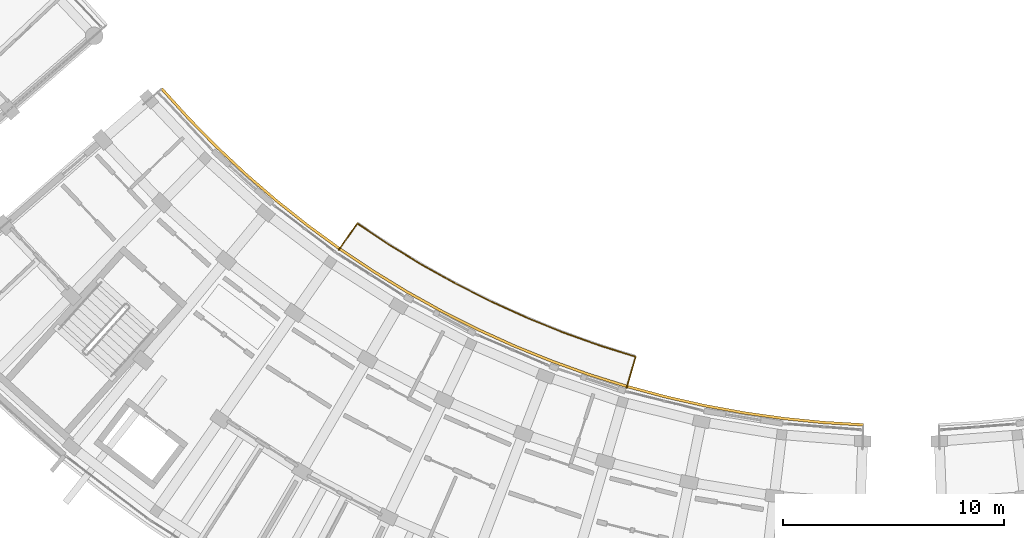
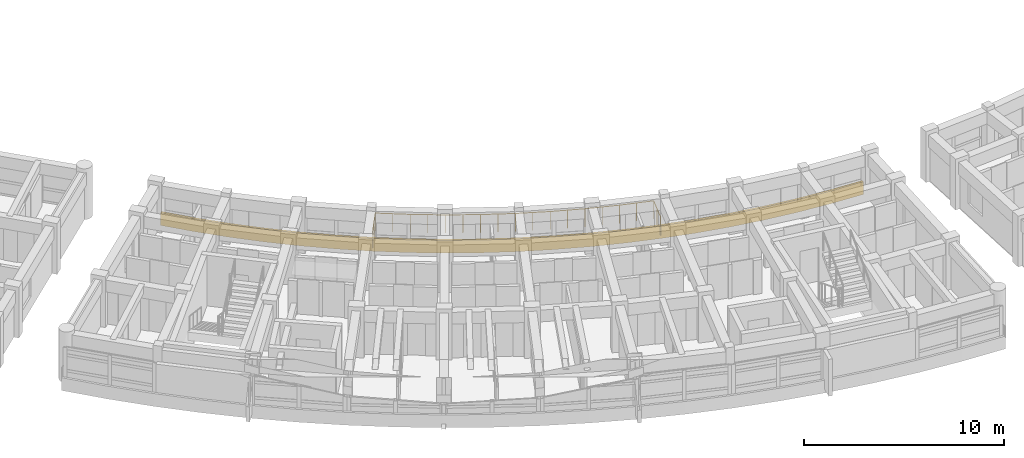
# One storey, part 50 of 56: 2 railings.
"""IFC4 building model written with IfcOpenShell, lengths in metres."""

from ifc_helpers import new_model, si_unit, direction, frame, origin, origin_2d, place, context, subcontext, project, spatial, polyline, circle, outline, extrude, material, type_object, element, save


model = new_model("IFC4")

# Units and contexts
model_context = context("Model", 3, precision=1e-05, world=origin(), true_north=direction((0.0, 1.0)))
body_context = subcontext(model_context, "Body", "Model", "MODEL_VIEW")
ifc_project = project(units=[si_unit("LENGTHUNIT", "METRE"), si_unit("AREAUNIT", "SQUARE_METRE"), si_unit("VOLUMEUNIT", "CUBIC_METRE"), si_unit("PLANEANGLEUNIT", "RADIAN"), si_unit("MASSUNIT", "GRAM", prefix="KILO")], contexts=[model_context])

# Site, building, storey
site_placement = place(None, origin())
site = spatial("IfcSite", under=ifc_project, at=site_placement, CompositionType="ELEMENT")
building_placement = place(site_placement, origin())
building = spatial("IfcBuilding", under=site, at=building_placement, Name="Zimvara Arc Housing Community", CompositionType="ELEMENT")
storey_placement = place(building_placement, frame((0.0, 0.0, 11.199951171875)))
storey = spatial("IfcBuildingStorey", under=building, at=storey_placement, Name="L03", CompositionType="ELEMENT", Elevation=11.199951171875)

# Railings
ifc_material_1 = material(Name="Anodised Aluminium AW-6063", Category="aluminium")
railing_type_1 = type_object("IfcRailingType", Name="RLG-BAL-1120", PredefinedType="BALUSTRADE", material=ifc_material_1)
railing_1_placement = place(storey_placement, frame((100.510009765625, 73.430908203125, 0.0)))
element("IfcRailing", 1, at=railing_1_placement, inside=storey, type_object=railing_type_1, Name="rlg:blkC:L03:bal_in_guard", PredefinedType="BALUSTRADE", context=body_context, shape_type="SweptSolid", body=[
    extrude(circle(Radius=0.02392578125, at=origin_2d()), frame((0.0, 0.0, 1.09619140625), z_axis=(0.572960666414, 0.819582866306, 0.0), x_axis=(-0.819582866306, 0.572960666414, 0.0)), (0.0, 0.0, 1.0), 1.469970703125),
    extrude(circle(Radius=0.02392578125, at=origin_2d()), frame((0.84228515625, 1.204833984375, 1.09619140625), z_axis=(0.831043222725, -0.556207840616, 0.0), x_axis=(0.556207840616, 0.831043222725, 0.0)), (0.0, 0.0, 1.0), 1.75537109375),
    extrude(circle(Radius=0.02392578125, at=origin_2d()), frame((2.301025390625, 0.228515625, 1.09619140625), z_axis=(0.853092665747, -0.52175943082, 0.0), x_axis=(0.52175943082, 0.853092665747, 0.0)), (0.0, 0.0, 1.0), 1.755126953125),
    extrude(circle(Radius=0.02392578125, at=origin_2d()), frame((3.79833984375, -0.687255859375, 1.09619140625), z_axis=(0.873710725311, -0.486445853592, 0.0), x_axis=(0.486445853592, 0.873710725311, 0.0)), (0.0, 0.0, 1.0), 1.755126953125),
    extrude(circle(Radius=0.02392578125, at=origin_2d()), frame((5.331787109375, -1.541015625, 1.09619140625), z_axis=(0.892779977316, -0.450492965653, 0.0), x_axis=(0.450492965653, 0.892779977316, 0.0)), (0.0, 0.0, 1.0), 1.75537109375),
    extrude(circle(Radius=0.02392578125, at=origin_2d()), frame((6.89892578125, -2.331787109375, 1.09619140625), z_axis=(0.91049504579, -0.413519977258, 0.0), x_axis=(0.413519977258, 0.91049504579, 0.0)), (0.0, 0.0, 1.0), 1.755126953125),
    extrude(circle(Radius=0.02392578125, at=origin_2d()), frame((8.4970703125, -3.0576171875, 1.09619140625), z_axis=(0.926565071811, -0.376134507458, 0.0), x_axis=(0.376134507458, 0.926565071811, 0.0)), (0.0, 0.0, 1.0), 1.755126953125),
    extrude(circle(Radius=0.02392578125, at=origin_2d()), frame((10.123291015625, -3.7177734375, 1.09619140625), z_axis=(0.94120260908, -0.337842638903, 0.0), x_axis=(0.337842638903, 0.94120260908, 0.0)), (0.0, 0.0, 1.0), 1.75537109375),
    extrude(circle(Radius=0.02392578125, at=origin_2d()), frame((11.775390625, -4.310791015625, 1.09619140625), z_axis=(0.954192435663, -0.299193575672, 0.0), x_axis=(0.299193575672, 0.954192435663, 0.0)), (0.0, 0.0, 1.0), 1.755126953125),
    extrude(circle(Radius=0.02392578125, at=origin_2d()), frame((13.4501953125, -4.8359375, 1.09619140625), z_axis=(-0.27967473749, -0.960094808449, 0.0), x_axis=(0.960094808449, -0.27967473749, 0.0)), (0.0, 0.0, 1.0), 1.469970703125),
    extrude(circle(Radius=0.02099609375, at=origin_2d()), origin(), (0.0, 0.0, 1.0), 1.072021484375),
    extrude(circle(Radius=0.02099609375, at=origin_2d()), frame((0.421142578125, 0.6025390625, 0.0)), (0.0, 0.0, 1.0), 1.072021484375),
    extrude(circle(Radius=0.02099609375, at=origin_2d()), frame((0.84228515625, 1.204833984375, 0.0)), (0.0, 0.0, 1.0), 1.072021484375),
    extrude(circle(Radius=0.02099609375, at=origin_2d()), frame((1.57177734375, 0.716796875, 0.0)), (0.0, 0.0, 1.0), 1.072021484375),
    extrude(circle(Radius=0.02099609375, at=origin_2d()), frame((2.301025390625, 0.228515625, 0.0)), (0.0, 0.0, 1.0), 1.072021484375),
    extrude(circle(Radius=0.02099609375, at=origin_2d()), frame((3.0498046875, -0.2294921875, 0.0)), (0.0, 0.0, 1.0), 1.072021484375),
    extrude(circle(Radius=0.02099609375, at=origin_2d()), frame((3.79833984375, -0.687255859375, 0.0)), (0.0, 0.0, 1.0), 1.072021484375),
    extrude(circle(Radius=0.02099609375, at=origin_2d()), frame((4.56494140625, -1.1142578125, 0.0)), (0.0, 0.0, 1.0), 1.072021484375),
    extrude(circle(Radius=0.02099609375, at=origin_2d()), frame((5.331787109375, -1.541015625, 0.0)), (0.0, 0.0, 1.0), 1.072021484375),
    extrude(circle(Radius=0.02099609375, at=origin_2d()), frame((6.115234375, -1.9365234375, 0.0)), (0.0, 0.0, 1.0), 1.072021484375),
    extrude(circle(Radius=0.02099609375, at=origin_2d()), frame((6.89892578125, -2.331787109375, 0.0)), (0.0, 0.0, 1.0), 1.072021484375),
    extrude(circle(Radius=0.02099609375, at=origin_2d()), frame((7.697998046875, -2.69482421875, 0.0)), (0.0, 0.0, 1.0), 1.072021484375),
    extrude(circle(Radius=0.02099609375, at=origin_2d()), frame((8.4970703125, -3.0576171875, 0.0)), (0.0, 0.0, 1.0), 1.072021484375),
    extrude(circle(Radius=0.02099609375, at=origin_2d()), frame((9.31005859375, -3.3876953125, 0.0)), (0.0, 0.0, 1.0), 1.072021484375),
    extrude(circle(Radius=0.02099609375, at=origin_2d()), frame((10.123291015625, -3.7177734375, 0.0)), (0.0, 0.0, 1.0), 1.072021484375),
    extrude(circle(Radius=0.02099609375, at=origin_2d()), frame((10.94921875, -4.01416015625, 0.0)), (0.0, 0.0, 1.0), 1.072021484375),
    extrude(circle(Radius=0.02099609375, at=origin_2d()), frame((11.775390625, -4.310791015625, 0.0)), (0.0, 0.0, 1.0), 1.072021484375),
    extrude(circle(Radius=0.02099609375, at=origin_2d()), frame((12.61279296875, -4.5732421875, 0.0)), (0.0, 0.0, 1.0), 1.072021484375),
    extrude(circle(Radius=0.02099609375, at=origin_2d()), frame((13.4501953125, -4.8359375, 0.0)), (0.0, 0.0, 1.0), 1.072021484375),
    extrude(circle(Radius=0.02099609375, at=origin_2d()), frame((13.24462890625, -5.54150390625, 0.0)), (0.0, 0.0, 1.0), 1.072021484375),
    extrude(circle(Radius=0.02099609375, at=origin_2d()), frame((13.0390625, -6.247314453125, 0.0)), (0.0, 0.0, 1.0), 1.072021484375),
])
ifc_material_2 = material(Name="Pale-Gold Anodised Aluminium AW-6063", Category="aluminium")
railing_type_2 = type_object("IfcRailingType", Name="RLG-FAS-780", PredefinedType="BALUSTRADE", material=ifc_material_2)
railing_2_placement = place(storey_placement, frame((0.0, 0.0, -0.219970703125)))
element("IfcRailing", 2, at=railing_2_placement, inside=storey, type_object=railing_type_2, Name="rlg:blkC:L03:gold_in", PredefinedType="BALUSTRADE", context=body_context, shape_type="SweptSolid", body=[
    extrude(outline(polyline([(92.440673828125, 80.704833984375), (93.6591796875, 79.359619140625), (94.931396484375, 78.0654296875), (96.25537109375, 76.82421875), (97.62890625, 75.63818359375), (99.0498046875, 74.50927734375), (100.515625, 73.439208984375), (102.02392578125, 72.4296875), (103.572265625, 71.48291015625), (105.15771484375, 70.60009765625), (106.778076171875, 69.782470703125), (108.430419921875, 69.031982421875), (110.112060546875, 68.349609375), (111.820068359375, 67.736328125), (113.5517578125, 67.193115234375), (115.30419921875, 66.721435546875), (117.074462890625, 66.321533203125), (118.859619140625, 65.994140625), (120.656494140625, 65.739990234375), (122.46240234375, 65.559326171875), (124.27392578125, 65.45263671875), (124.278564453125, 65.57275390625), (122.471923828125, 65.678955078125), (120.6708984375, 65.859130859375), (118.87890625, 66.112548828125), (117.0986328125, 66.43896484375), (115.3330078125, 66.837890625), (113.58544921875, 67.308349609375), (111.8583984375, 67.849853515625), (110.155029296875, 68.461669921875), (108.477783203125, 69.142333984375), (106.830078125, 69.890869140625), (105.214111328125, 70.7060546875), (103.6328125, 71.58642578125), (102.088623046875, 72.53076171875), (100.58447265625, 73.537353515625), (99.12255859375, 74.604736328125), (97.70556640625, 75.73046875), (96.335693359375, 76.91357421875), (95.01513671875, 78.1513671875), (93.746337890625, 79.442138671875), (92.53125, 80.783447265625), (92.440673828125, 80.704833984375)])), origin(), (0.0, 0.0, 1.0), 0.780029296875),
])

save(model, "model.ifc")
